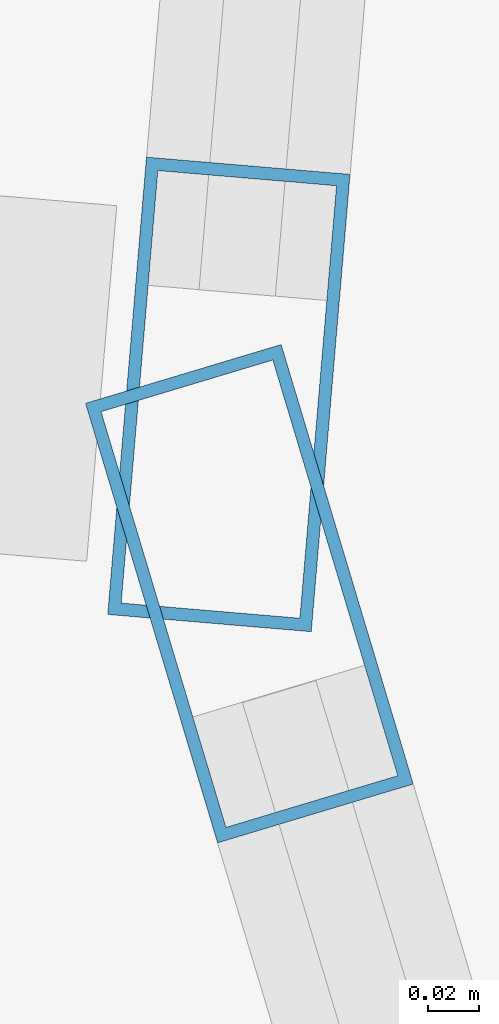
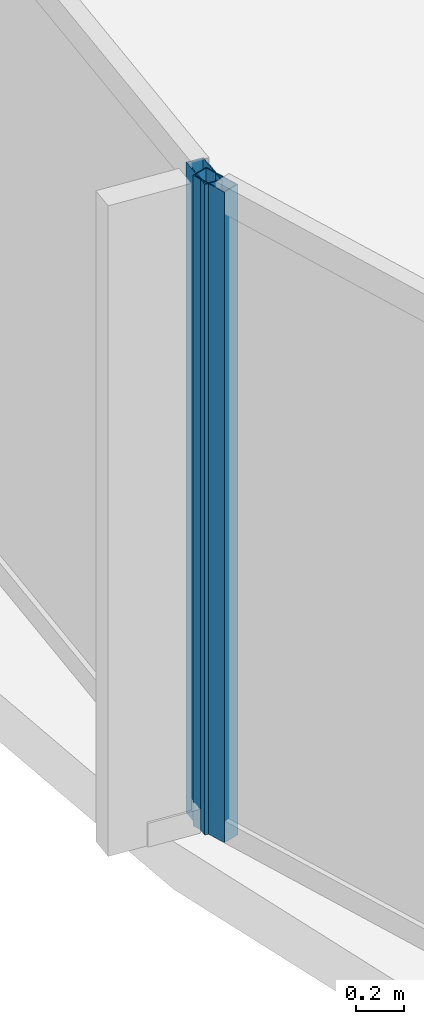
# One storey, part 8 of 30: 2 members, 2 elements without a shape of their own.
"""IFC4 building model written with IfcOpenShell, lengths in metres."""

from ifc_helpers import new_model, si_unit, direction, frame, origin, origin_2d, place, context, subcontext, project, spatial, hollow_rectangle, extrude, material, layer, layer_set, material_profile, profile_set, type_object, element, aggregate, save


model = new_model("IFC4")

# Units and contexts
model_context = context("Model", 3, precision=1e-05, world=origin(), true_north=direction((0.0, 1.0)))
body_context = subcontext(model_context, "Body", "Model", "MODEL_VIEW")
ifc_project = project(units=[si_unit("LENGTHUNIT", "METRE"), si_unit("AREAUNIT", "SQUARE_METRE"), si_unit("VOLUMEUNIT", "CUBIC_METRE"), si_unit("PLANEANGLEUNIT", "RADIAN"), si_unit("MASSUNIT", "GRAM", prefix="KILO")], contexts=[model_context])

# Site, building, storey
site_placement = place(None, origin())
site = spatial("IfcSite", under=ifc_project, at=site_placement, CompositionType="ELEMENT")
building_placement = place(site_placement, origin())
building = spatial("IfcBuilding", under=site, at=building_placement, Name="Kazevale Care Tower and Concert Hall", CompositionType="ELEMENT")
storey_placement = place(building_placement, frame((0.0, 0.0, 88.800048828125)))
storey = spatial("IfcBuildingStorey", under=building, at=storey_placement, Name="L23", CompositionType="ELEMENT", Elevation=88.800048828125)

# Curtain wall, member
ifc_material_1 = material(Name="Aluminium 6063-T6 and Low-E Glass", Category="aluminium")
ifc_layer = layer(ifc_material_1, 0.179931640625)
ifc_layer_set = layer_set([ifc_layer], Name="Aluminium 6063-T6 and Low-E Glass")
curtain_wall_type = type_object("IfcCurtainWallType", Name="Waist & Upper Residential Curtain Wall CW-4", PredefinedType="NOTDEFINED", material=ifc_layer_set)
curtain_wall_1_placement = place(storey_placement, origin())
curtain_wall_1 = element("IfcCurtainWall", 1, at=curtain_wall_1_placement, inside=storey, type_object=curtain_wall_type, Name="cw:L23:f12", PredefinedType="NOTDEFINED")
ifc_material_2 = material(Name="Aluminium 6063-T6", Category="aluminium")
ifc_material_profile = material_profile(ifc_material_2, hollow_rectangle(XDim=0.080078125, YDim=0.179931640625, WallThickness=0.0048828125, at=origin_2d()), Name="ALU80x180x5")
ifc_profile_set = profile_set([ifc_material_profile], Name="Aluminium 6063-T6")
member_type = type_object("IfcMemberType", Name="CW-4 Mullion ALU80x180x5", PredefinedType="MULLION", material=ifc_profile_set)
member_1_placement = place(storey_placement, frame((12.198486328125, 35.052734375, 0.0), z_axis=(0.0, 0.0, 1.0), x_axis=(-0.957661755703, -0.287895747909, 0.0)))
member_1 = element("IfcMember", 2, at=member_1_placement, type_object=member_type, Name="CW-4 mullion 2", PredefinedType="MULLION", context=body_context, shape_type="SweptSolid", body=[
    extrude(hollow_rectangle(XDim=0.080078125, YDim=0.179931640625, WallThickness=0.0048828125, at=origin_2d()), origin(), (0.0, 0.0, 1.0), 3.280029296875),
])
aggregate(curtain_wall_1, [member_1])

curtain_wall_2_placement = place(storey_placement, origin())
curtain_wall_2 = element("IfcCurtainWall", 3, at=curtain_wall_2_placement, inside=storey, type_object=curtain_wall_type, Name="cw:L23:f13", PredefinedType="NOTDEFINED")
member_2_placement = place(storey_placement, frame((12.1904296875, 35.130859375, 0.0), z_axis=(0.0, 0.0, 1.0), x_axis=(-0.996430849754, 0.084413041998, 0.0)))
member_2 = element("IfcMember", 4, at=member_2_placement, type_object=member_type, Name="CW-4 mullion 1", PredefinedType="MULLION", context=body_context, shape_type="SweptSolid", body=[
    extrude(hollow_rectangle(XDim=0.080078125, YDim=0.179931640625, WallThickness=0.0048828125, at=origin_2d()), origin(), (0.0, 0.0, 1.0), 3.280029296875),
])
aggregate(curtain_wall_2, [member_2])

save(model, "model.ifc")
